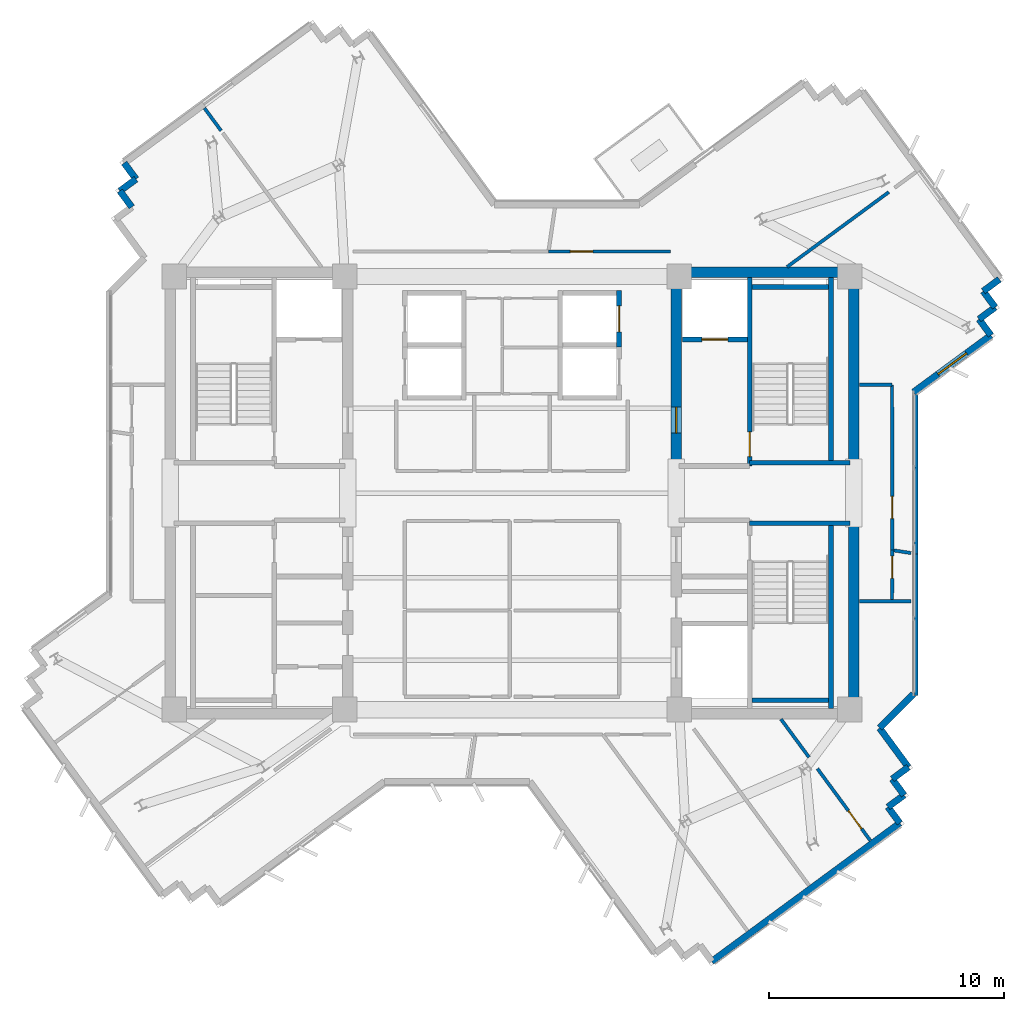
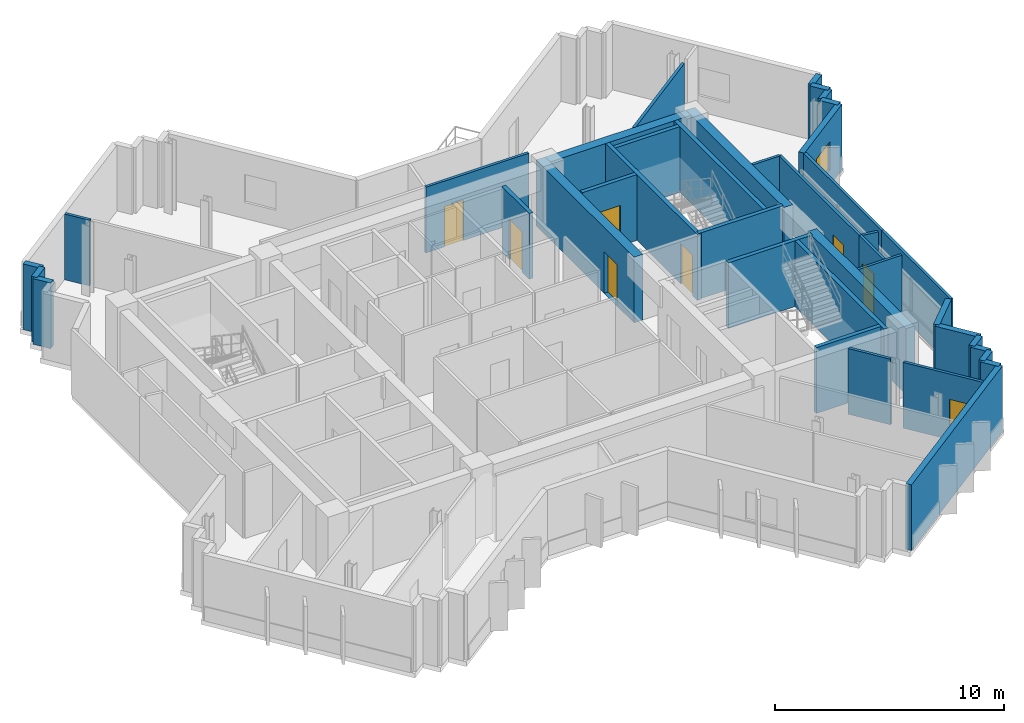
# One storey, part 9 of 13: 40 walls, 8 doors, 1 window, 9 openings.
"""IFC4 building model written with IfcOpenShell, lengths in metres."""

from ifc_helpers import new_model, si_unit, direction, frame, frame_2d, origin, place, context, subcontext, project, spatial, rectangle, extrude, source, transform, mapped, material, layer, layer_set, type_object, element, fill, save


model = new_model("IFC4")

# Units and contexts
model_context = context("Model", 3, precision=1e-05, world=origin(), true_north=direction((0.0, 1.0)))
body_context = subcontext(model_context, "Body", "Model", "MODEL_VIEW")
ifc_project = project(units=[si_unit("LENGTHUNIT", "METRE"), si_unit("AREAUNIT", "SQUARE_METRE"), si_unit("VOLUMEUNIT", "CUBIC_METRE"), si_unit("PLANEANGLEUNIT", "RADIAN"), si_unit("MASSUNIT", "GRAM", prefix="KILO")], contexts=[model_context])

# Site, building, storey
site_placement = place(None, origin())
site = spatial("IfcSite", under=ifc_project, at=site_placement, CompositionType="ELEMENT")
building_placement = place(site_placement, origin())
building = spatial("IfcBuilding", under=site, at=building_placement, Name="Zahravan Cultural Tower", CompositionType="ELEMENT")
storey_placement = place(building_placement, frame((0.0, 0.0, 276.60009765625)))
storey = spatial("IfcBuildingStorey", under=building, at=storey_placement, Name="L66", CompositionType="ELEMENT", Elevation=276.60009765625)

# Wall, opening, door
ifc_material_1 = material(Name="Concrete C50/60", Category="concrete")
ifc_layer_1 = layer(ifc_material_1, 0.449951171875)
ifc_layer_set_1 = layer_set([ifc_layer_1], Name="Concrete C50/60")
wall_type_1 = type_object("IfcWallType", Name="CW-SHEAR-450-C50", PredefinedType="SHEAR", material=ifc_layer_set_1)
wall_1_placement = place(storey_placement, frame((42.97509765625, 28.050048828125, 0.0), z_axis=(0.0, 0.0, 1.0), x_axis=(0.0, 1.0, 0.0)))
wall_1 = element("IfcWall", 1, at=wall_1_placement, inside=storey, type_object=wall_type_1, Name="L66 Core Shear Wall CW-E-WN-L66", PredefinedType="SHEAR", context=body_context, shape_type="SweptSolid", body=[
    extrude(rectangle(XDim=8.550048828125, YDim=0.449951171875, at=frame_2d((4.27490234375, 0.0))), origin(), (0.0, 0.0, 1.0), 3.5),
])
opening_1_placement = place(wall_1_placement, frame((1.5, 0.0, 0.0)))
opening_1 = element("IfcOpeningElement", 2, at=opening_1_placement, cuts=wall_1, Name="Opening D-L66-07", PredefinedType="OPENING", context=body_context, shape_type="SweptSolid", body=[
    extrude(rectangle(XDim=1.10009765625, YDim=2.199951171875, at=frame_2d((0.550048828125, 1.10009765625))), frame((0.0, 0.23486328125, 0.0), z_axis=(0.0, -1.0, 0.0), x_axis=(1.0, 0.0, 0.0)), (0.0, 0.0, 1.0), 0.469970703125),
])
ifc_material_2 = material(Name="Steel ASTM A572 Grade 50", Category="steel")
door_type_1 = type_object("IfcDoorType", Name="DR-LOBBY-1100", OperationType="NOTDEFINED", PredefinedType="DOOR", material=ifc_material_2)
shared_shape_1 = source(origin(), body_context, "Body", "SweptSolid", [
    extrude(rectangle(XDim=1.10009765625, YDim=2.199951171875, at=frame_2d((0.550048828125, 1.10009765625))), frame((0.0, 0.02490234375, 0.0), z_axis=(0.0, -1.0, 0.0), x_axis=(1.0, 0.0, 0.0)), (0.0, 0.0, 1.0), 0.050048828125),
])
door_1_placement = place(opening_1_placement, origin())
door_1 = element("IfcDoor", 3, at=door_1_placement, inside=storey, type_object=door_type_1, Name="L66 Door D-L66-07", OperationType="SINGLE_SWING_LEFT", OverallHeight=2.199951171875, OverallWidth=1.10009765625, PredefinedType="DOOR", context=body_context, shape_type="MappedRepresentation", body=[
    mapped(shared_shape_1, transform((0.0, 0.0, 0.0), x_axis=(1.0, 0.0, 0.0), y_axis=(0.0, 1.0, 0.0), z_axis=(0.0, 0.0, 1.0), scale=1.0)),
])
fill(opening_1, door_1)

# Wall, opening, window
ifc_material_3 = material(Name="Precast concrete C40/50", Category="concrete")
ifc_layer_2 = layer(ifc_material_3, 0.280029296875)
ifc_layer_set_2 = layer_set([ifc_layer_2], Name="Precast concrete C40/50")
wall_type_2 = type_object("IfcWallType", Name="EW-TC-280", PredefinedType="SOLIDWALL", material=ifc_layer_set_2)
wall_2_placement = place(storey_placement, frame((56.345703125, 33.70361328125, 0.0), z_axis=(0.0, 0.0, 1.0), x_axis=(-0.805410687764, -0.592717153486, 0.0)))
wall_2 = element("IfcWall", 4, at=wall_2_placement, inside=storey, type_object=wall_type_2, Name="L66 Exterior Masonry Frame Wall 11", PredefinedType="SOLIDWALL", context=body_context, shape_type="SweptSolid", body=[
    extrude(rectangle(XDim=4.079345703125, YDim=0.280029296875, at=frame_2d((2.03955078125, 0.0))), origin(), (0.0, 0.0, 1.0), 3.5),
])
opening_2_placement = place(wall_2_placement, frame((1.2900390625, 0.0, 0.85009765625)))
opening_2 = element("IfcOpeningElement", 5, at=opening_2_placement, cuts=wall_2, Name="Opening WN-03", PredefinedType="OPENING", context=body_context, shape_type="SweptSolid", body=[
    extrude(rectangle(XDim=1.5, YDim=1.5, at=frame_2d((0.75, 0.75))), frame((0.0, 0.14990234375, 0.0), z_axis=(0.0, -1.0, 0.0), x_axis=(1.0, 0.0, 0.0)), (0.0, 0.0, 1.0), 0.300048828125),
])
ifc_material_4 = material(Name="Low-E solar-control double glazing", Category="glass")
window_type = type_object("IfcWindowType", Name="WN-REC-1500X1500", PartitioningType="SINGLE_PANEL", PredefinedType="WINDOW", material=ifc_material_4)
shared_shape_2 = source(origin(), body_context, "Body", "SweptSolid", [
    extrude(rectangle(XDim=1.5, YDim=1.5, at=frame_2d((0.75, 0.75))), frame((0.0, 0.030029296875, 0.0), z_axis=(0.0, -1.0, 0.0), x_axis=(1.0, 0.0, 0.0)), (0.0, 0.0, 1.0), 0.06005859375),
])
window_placement = place(opening_2_placement, origin())
window = element("IfcWindow", 6, at=window_placement, inside=storey, type_object=window_type, Name="L66 Recessed Solar Window 02", OverallHeight=1.5, OverallWidth=1.5, PartitioningType="SINGLE_PANEL", PredefinedType="WINDOW", context=body_context, shape_type="MappedRepresentation", body=[
    mapped(shared_shape_2, transform((0.0, 0.0, 0.0), x_axis=(1.0, 0.0, 0.0), y_axis=(0.0, 1.0, 0.0), z_axis=(0.0, 0.0, 1.0), scale=1.0)),
])
fill(opening_2, window)

# Wall, opening, door
ifc_material_5 = material(Name="Gypsum plasterboard partition")
ifc_layer_3 = layer(ifc_material_5, 0.139892578125)
ifc_layer_set_3 = layer_set([ifc_layer_3], Name="Gypsum plasterboard partition")
wall_type_3 = type_object("IfcWallType", Name="W-PART-140", PredefinedType="PARTITIONING", material=ifc_layer_set_3)
wall_3_placement = place(storey_placement, frame((48.975341796875, 15.290283203125, 0.0), z_axis=(0.0, 0.0, 1.0), x_axis=(0.592735674873, -0.805397057192, 0.0)))
wall_3 = element("IfcWall", 7, at=wall_3_placement, inside=storey, type_object=wall_type_3, Name="L66 Interior Wall 074", PredefinedType="PARTITIONING", context=body_context, shape_type="SweptSolid", body=[
    extrude(rectangle(XDim=3.79296875, YDim=0.139892578125, at=frame_2d((1.896484375, 0.0))), origin(), (0.0, 0.0, 1.0), 3.5),
])
opening_3_placement = place(wall_3_placement, frame((2.2177734375, 0.0, 0.0)))
opening_3 = element("IfcOpeningElement", 8, at=opening_3_placement, cuts=wall_3, Name="Opening D-L66-35", PredefinedType="OPENING", context=body_context, shape_type="SweptSolid", body=[
    extrude(rectangle(XDim=0.949951171875, YDim=2.14990234375, at=frame_2d((0.47509765625, 1.074951171875))), frame((0.0, 0.079833984375, 0.0), z_axis=(0.0, -1.0, 0.0), x_axis=(1.0, 0.0, 0.0)), (0.0, 0.0, 1.0), 0.159912109375),
])
ifc_material_6 = material(Name="Anodised bronze-aluminium mullion", Category="aluminium")
door_type_2 = type_object("IfcDoorType", Name="DR-ROOM-950", OperationType="NOTDEFINED", PredefinedType="DOOR", material=ifc_material_6)
shared_shape_3 = source(origin(), body_context, "Body", "SweptSolid", [
    extrude(rectangle(XDim=0.949951171875, YDim=2.14990234375, at=frame_2d((0.47509765625, 1.074951171875))), frame((0.0, 0.02490234375, 0.0), z_axis=(0.0, -1.0, 0.0), x_axis=(1.0, 0.0, 0.0)), (0.0, 0.0, 1.0), 0.050048828125),
])
door_2_placement = place(opening_3_placement, origin())
door_2 = element("IfcDoor", 9, at=door_2_placement, inside=storey, type_object=door_type_2, Name="L66 Door D-L66-35", OperationType="SINGLE_SWING_LEFT", OverallHeight=2.14990234375, OverallWidth=0.949951171875, PredefinedType="DOOR", context=body_context, shape_type="MappedRepresentation", body=[
    mapped(shared_shape_3, transform((0.0, 0.0, 0.0), x_axis=(1.0, 0.0, 0.0), y_axis=(0.0, 1.0, 0.0), z_axis=(0.0, 0.0, 1.0), scale=1.0)),
])
fill(opening_3, door_2)

wall_4_placement = place(storey_placement, frame((52.14892578125, 22.478271484375, 0.0), z_axis=(0.0, 0.0, 1.0), x_axis=(0.000465766135, 0.999999891531, 0.0)))
wall_4 = element("IfcWall", 10, at=wall_4_placement, inside=storey, type_object=wall_type_3, Name="L66 Interior Wall 078", PredefinedType="PARTITIONING", context=body_context, shape_type="SweptSolid", body=[
    extrude(rectangle(XDim=2.0966796875, YDim=0.139892578125, at=frame_2d((1.04833984375, 0.0))), origin(), (0.0, 0.0, 1.0), 3.5),
])
opening_4_placement = place(wall_4_placement, frame((0.894287109375, 0.0, 0.0)))
opening_4 = element("IfcOpeningElement", 11, at=opening_4_placement, cuts=wall_4, Name="Opening D-L66-31", PredefinedType="OPENING", context=body_context, shape_type="SweptSolid", body=[
    extrude(rectangle(XDim=0.949951171875, YDim=2.14990234375, at=frame_2d((0.47509765625, 1.074951171875))), frame((0.0, 0.079833984375, 0.0), z_axis=(0.0, -1.0, 0.0), x_axis=(1.0, 0.0, 0.0)), (0.0, 0.0, 1.0), 0.159912109375),
])
door_3_placement = place(opening_4_placement, origin())
door_3 = element("IfcDoor", 12, at=door_3_placement, inside=storey, type_object=door_type_2, Name="L66 Door D-L66-31", OperationType="SINGLE_SWING_LEFT", OverallHeight=2.14990234375, OverallWidth=0.949951171875, PredefinedType="DOOR", context=body_context, shape_type="MappedRepresentation", body=[
    mapped(shared_shape_3, transform((0.0, 0.0, 0.0), x_axis=(1.0, 0.0, 0.0), y_axis=(0.0, 1.0, 0.0), z_axis=(0.0, 0.0, 1.0), scale=1.0)),
])
fill(opening_4, door_3)

wall_5_placement = place(storey_placement, frame((52.14990234375, 24.574951171875, 0.0), z_axis=(0.0, 0.0, 1.0), x_axis=(-0.000139028882, 0.999999990335, 0.0)))
wall_5 = element("IfcWall", 13, at=wall_5_placement, inside=storey, type_object=wall_type_3, Name="L66 Interior Wall 100", PredefinedType="PARTITIONING", context=body_context, shape_type="SweptSolid", body=[
    extrude(rectangle(XDim=7.024169921875, YDim=0.139892578125, at=frame_2d((3.51220703125, 0.0))), origin(), (0.0, 0.0, 1.0), 3.5),
])
opening_5_placement = place(wall_5_placement, frame((1.336181640625, 0.0, 0.0)))
opening_5 = element("IfcOpeningElement", 14, at=opening_5_placement, cuts=wall_5, Name="Opening D-L66-23", PredefinedType="OPENING", context=body_context, shape_type="SweptSolid", body=[
    extrude(rectangle(XDim=0.949951171875, YDim=2.14990234375, at=frame_2d((0.47509765625, 1.074951171875))), frame((0.0, 0.079833984375, 0.0), z_axis=(0.0, -1.0, 0.0), x_axis=(1.0, 0.0, 0.0)), (0.0, 0.0, 1.0), 0.159912109375),
])
door_4_placement = place(opening_5_placement, origin())
door_4 = element("IfcDoor", 15, at=door_4_placement, inside=storey, type_object=door_type_2, Name="L66 Door D-L66-23", OperationType="SINGLE_SWING_LEFT", OverallHeight=2.14990234375, OverallWidth=0.949951171875, PredefinedType="DOOR", context=body_context, shape_type="MappedRepresentation", body=[
    mapped(shared_shape_3, transform((0.0, 0.0, 0.0), x_axis=(1.0, 0.0, 0.0), y_axis=(0.0, 1.0, 0.0), z_axis=(0.0, 0.0, 1.0), scale=1.0)),
])
fill(opening_5, door_4)

wall_6_placement = place(storey_placement, frame((42.742431640625, 37.259765625, 0.0), z_axis=(0.0, 0.0, 1.0), x_axis=(-0.999999998895, 4.7021207e-05, 0.0)))
wall_6 = element("IfcWall", 16, at=wall_6_placement, inside=storey, type_object=wall_type_3, Name="L66 Interior Wall 101", PredefinedType="PARTITIONING", context=body_context, shape_type="SweptSolid", body=[
    extrude(rectangle(XDim=5.192138671875, YDim=0.139892578125, at=frame_2d((2.59619140625, 0.0))), origin(), (0.0, 0.0, 1.0), 3.5),
])
opening_6_placement = place(wall_6_placement, frame((3.308837890625, 0.0, 0.0)))
opening_6 = element("IfcOpeningElement", 17, at=opening_6_placement, cuts=wall_6, Name="Opening D-L66-24", PredefinedType="OPENING", context=body_context, shape_type="SweptSolid", body=[
    extrude(rectangle(XDim=0.949951171875, YDim=2.14990234375, at=frame_2d((0.47509765625, 1.074951171875))), frame((0.0, 0.079833984375, 0.0), z_axis=(0.0, -1.0, 0.0), x_axis=(1.0, 0.0, 0.0)), (0.0, 0.0, 1.0), 0.159912109375),
])
door_5_placement = place(opening_6_placement, origin())
door_5 = element("IfcDoor", 18, at=door_5_placement, inside=storey, type_object=door_type_2, Name="L66 Door D-L66-24", OperationType="SINGLE_SWING_RIGHT", OverallHeight=2.14990234375, OverallWidth=0.949951171875, PredefinedType="DOOR", context=body_context, shape_type="MappedRepresentation", body=[
    mapped(shared_shape_3, transform((0.0, 0.0, 0.0), x_axis=(1.0, 0.0, 0.0), y_axis=(0.0, 1.0, 0.0), z_axis=(0.0, 0.0, 1.0), scale=1.0)),
])
fill(opening_6, door_5)

ifc_material_7 = material(Name="Concrete C45/55", Category="concrete")
ifc_layer_4 = layer(ifc_material_7, 0.199951171875)
ifc_layer_set_4 = layer_set([ifc_layer_4], Name="Concrete C45/55")
wall_type_4 = type_object("IfcWallType", Name="W-SHAFT-200", PredefinedType="SOLIDWALL", material=ifc_layer_set_4)
wall_7_placement = place(storey_placement, frame((46.10009765625, 28.14990234375, 0.0), z_axis=(0.0, 0.0, 1.0), x_axis=(0.0, 1.0, 0.0)))
wall_7 = element("IfcWall", 19, at=wall_7_placement, inside=storey, type_object=wall_type_4, Name="L66 Interior Wall 008", PredefinedType="SOLIDWALL", context=body_context, shape_type="SweptSolid", body=[
    extrude(rectangle(XDim=8.0, YDim=0.199951171875, at=frame_2d((4.0, 0.0))), origin(), (0.0, 0.0, 1.0), 3.5),
])
opening_7_placement = place(wall_7_placement, frame((0.39990234375, 0.0, 0.0)))
opening_7 = element("IfcOpeningElement", 20, at=opening_7_placement, cuts=wall_7, Name="Opening D-L66-02", PredefinedType="OPENING", context=body_context, shape_type="SweptSolid", body=[
    extrude(rectangle(XDim=1.050048828125, YDim=2.14990234375, at=frame_2d((0.52490234375, 1.074951171875))), frame((0.0, 0.10986328125, 0.0), z_axis=(0.0, -1.0, 0.0), x_axis=(1.0, 0.0, 0.0)), (0.0, 0.0, 1.0), 0.219970703125),
])
door_type_3 = type_object("IfcDoorType", Name="DR-STAIR-1050", OperationType="NOTDEFINED", PredefinedType="DOOR", material=ifc_material_2)
shared_shape_4 = source(origin(), body_context, "Body", "SweptSolid", [
    extrude(rectangle(XDim=1.050048828125, YDim=2.14990234375, at=frame_2d((0.52490234375, 1.074951171875))), frame((0.0, 0.02490234375, 0.0), z_axis=(0.0, -1.0, 0.0), x_axis=(1.0, 0.0, 0.0)), (0.0, 0.0, 1.0), 0.050048828125),
])
door_6_placement = place(opening_7_placement, origin())
door_6 = element("IfcDoor", 21, at=door_6_placement, inside=storey, type_object=door_type_3, Name="L66 Door D-L66-02", OperationType="SINGLE_SWING_RIGHT", OverallHeight=2.14990234375, OverallWidth=1.050048828125, PredefinedType="DOOR", context=body_context, shape_type="MappedRepresentation", body=[
    mapped(shared_shape_4, transform((0.0, 0.0, 0.0), x_axis=(1.0, 0.0, 0.0), y_axis=(0.0, 1.0, 0.0), z_axis=(0.0, 0.0, 1.0), scale=1.0)),
])
fill(opening_7, door_6)

wall_8_placement = place(storey_placement, frame((43.25, 33.52001953125, 0.0), z_axis=(0.0, 0.0, 1.0), x_axis=(1.0, 0.0, 0.0)))
wall_8 = element("IfcWall", 22, at=wall_8_placement, inside=storey, type_object=wall_type_4, Name="L66 Interior Wall 023", PredefinedType="SOLIDWALL", context=body_context, shape_type="SweptSolid", body=[
    extrude(rectangle(XDim=2.75, YDim=0.199951171875, at=frame_2d((1.375, 0.0))), origin(), (0.0, 0.0, 1.0), 3.5),
])
opening_8_placement = place(wall_8_placement, frame((0.820068359375, 0.0, 0.0)))
opening_8 = element("IfcOpeningElement", 23, at=opening_8_placement, cuts=wall_8, Name="Opening LD-L66-02", PredefinedType="OPENING", context=body_context, shape_type="SweptSolid", body=[
    extrude(rectangle(XDim=1.10009765625, YDim=2.14990234375, at=frame_2d((0.550048828125, 1.074951171875))), frame((0.0, 0.10986328125, 0.0), z_axis=(0.0, -1.0, 0.0), x_axis=(1.0, 0.0, 0.0)), (0.0, 0.0, 1.0), 0.219970703125),
])
door_type_4 = type_object("IfcDoorType", Name="DR-LIFT-1100", OperationType="DOUBLE_DOOR_SLIDING", PredefinedType="DOOR", material=ifc_material_2)
shared_shape_5 = source(origin(), body_context, "Body", "SweptSolid", [
    extrude(rectangle(XDim=1.10009765625, YDim=2.14990234375, at=frame_2d((0.550048828125, 1.074951171875))), frame((0.0, 0.02490234375, 0.0), z_axis=(0.0, -1.0, 0.0), x_axis=(1.0, 0.0, 0.0)), (0.0, 0.0, 1.0), 0.050048828125),
])
door_7_placement = place(opening_8_placement, origin())
door_7 = element("IfcDoor", 24, at=door_7_placement, inside=storey, type_object=door_type_4, Name="L66 Door LD-L66-02", OperationType="DOUBLE_DOOR_SLIDING", OverallHeight=2.14990234375, OverallWidth=1.10009765625, PredefinedType="DOOR", context=body_context, shape_type="MappedRepresentation", body=[
    mapped(shared_shape_5, transform((0.0, 0.0, 0.0), x_axis=(1.0, 0.0, 0.0), y_axis=(0.0, 1.0, 0.0), z_axis=(0.0, 0.0, 1.0), scale=1.0)),
])
fill(opening_8, door_7)

wall_9_placement = place(storey_placement, frame((40.550048828125, 33.199951171875, 0.0), z_axis=(0.0, 0.0, 1.0), x_axis=(0.0, 1.0, 0.0)))
wall_9 = element("IfcWall", 25, at=wall_9_placement, inside=storey, type_object=wall_type_4, Name="L66 Interior Wall 038", PredefinedType="SOLIDWALL", context=body_context, shape_type="SweptSolid", body=[
    extrude(rectangle(XDim=2.400146484375, YDim=0.199951171875, at=frame_2d((1.2001953125, 0.0))), origin(), (0.0, 0.0, 1.0), 3.5),
])
opening_9_placement = place(wall_9_placement, frame((0.64990234375, 0.0, 0.0)))
opening_9 = element("IfcOpeningElement", 26, at=opening_9_placement, cuts=wall_9, Name="Opening LD-L66-06", PredefinedType="OPENING", context=body_context, shape_type="SweptSolid", body=[
    extrude(rectangle(XDim=1.10009765625, YDim=2.14990234375, at=frame_2d((0.550048828125, 1.074951171875))), frame((0.0, 0.10986328125, 0.0), z_axis=(0.0, -1.0, 0.0), x_axis=(1.0, 0.0, 0.0)), (0.0, 0.0, 1.0), 0.219970703125),
])
door_8_placement = place(opening_9_placement, origin())
door_8 = element("IfcDoor", 27, at=door_8_placement, inside=storey, type_object=door_type_4, Name="L66 Door LD-L66-06", OperationType="DOUBLE_DOOR_SLIDING", OverallHeight=2.14990234375, OverallWidth=1.10009765625, PredefinedType="DOOR", context=body_context, shape_type="MappedRepresentation", body=[
    mapped(shared_shape_5, transform((0.0, 0.0, 0.0), x_axis=(1.0, 0.0, 0.0), y_axis=(0.0, 1.0, 0.0), z_axis=(0.0, 0.0, 1.0), scale=1.0)),
])
fill(opening_9, door_8)

# Walls
shared_shape_6 = source(origin(), body_context, "Body", "SweptSolid", [
    extrude(rectangle(XDim=8.550048828125, YDim=0.449951171875, at=frame_2d((4.27490234375, 0.0))), origin(), (0.0, 0.0, 1.0), 3.5),
])
for number, where, z_axis, x_axis, name in (
    (28, (50.52490234375, 17.39990234375, 0.0), (0.0, 0.0, 1.0), (0.0, 1.0, 0.0), "L66 Core Shear Wall CW-E-ES-L66"),
    (29, (50.52490234375, 28.050048828125, 0.0), (0.0, 0.0, 1.0), (0.0, 1.0, 0.0), "L66 Core Shear Wall CW-E-EN-L66"),
):
    element("IfcWall", number, at=place(storey_placement, frame(where, z_axis=z_axis, x_axis=x_axis)), inside=storey, type_object=wall_type_1, Name=name, PredefinedType="SHEAR", context=body_context, shape_type="MappedRepresentation", body=[
        mapped(shared_shape_6, transform((0.0, 0.0, 0.0), x_axis=(1.0, 0.0, 0.0), y_axis=(0.0, 1.0, 0.0), z_axis=(0.0, 0.0, 1.0), scale=1.0)),
    ])
shared_shape_7 = source(origin(), body_context, "Body", "SweptSolid", [
    extrude(rectangle(XDim=7.10009765625, YDim=0.449951171875, at=frame_2d((3.550048828125, 0.0))), origin(), (0.0, 0.0, 1.0), 3.5),
])
wall_10_placement = place(storey_placement, frame((43.199951171875, 36.375, 0.0), z_axis=(0.0, 0.0, 1.0), x_axis=(1.0, 0.0, 0.0)))
element("IfcWall", 30, at=wall_10_placement, inside=storey, type_object=wall_type_1, Name="L66 Core Shear Wall CW-E-N-L66", PredefinedType="SHEAR", context=body_context, shape_type="MappedRepresentation", body=[
    mapped(shared_shape_7, transform((0.0, 0.0, 0.0), x_axis=(1.0, 0.0, 0.0), y_axis=(0.0, 1.0, 0.0), z_axis=(0.0, 0.0, 1.0), scale=1.0)),
])
shared_shape_8 = source(origin(), body_context, "Body", "SweptSolid", [
    extrude(rectangle(XDim=0.85009765625, YDim=0.280029296875, at=frame_2d((0.425048828125, 0.0))), origin(), (0.0, 0.0, 1.0), 3.5),
])
for number, where, z_axis, x_axis, name in (
    (31, (56.707275390625, 36.08056640625, 0.0), (0.0, 0.0, 1.0), (-0.80534450163, -0.592807079659, 0.0), "L66 Exterior Masonry Frame Wall 07"),
    (32, (56.022705078125, 35.57666015625, 0.0), (0.0, 0.0, 1.0), (0.592807079659, -0.80534450163, 0.0), "L66 Exterior Masonry Frame Wall 08"),
    (33, (55.841796875, 34.38818359375, 0.0), (0.0, 0.0, 1.0), (0.592807079659, -0.80534450163, 0.0), "L66 Exterior Masonry Frame Wall 10"),
    (34, (52.839111328125, 15.354736328125, 0.0), (0.0, 0.0, 1.0), (-0.80534450163, -0.592807079659, 0.0), "L66 Exterior Masonry Frame Wall 14"),
):
    element("IfcWall", number, at=place(storey_placement, frame(where, z_axis=z_axis, x_axis=x_axis)), inside=storey, type_object=wall_type_2, Name=name, PredefinedType="SOLIDWALL", context=body_context, shape_type="MappedRepresentation", body=[
        mapped(shared_shape_8, transform((0.0, 0.0, 0.0), x_axis=(1.0, 0.0, 0.0), y_axis=(0.0, 1.0, 0.0), z_axis=(0.0, 0.0, 1.0), scale=1.0)),
    ])
shared_shape_9 = source(origin(), body_context, "Body", "SweptSolid", [
    extrude(rectangle(XDim=0.849853515625, YDim=0.280029296875, at=frame_2d((0.4248046875, 0.0))), origin(), (0.0, 0.0, 1.0), 3.5),
])
for number, where, z_axis, x_axis, name in (
    (35, (52.154541015625, 14.850830078125, 0.0), (0.0, 0.0, 1.0), (0.592620751712, -0.805481622783, 0.0), "L66 Exterior Masonry Frame Wall 15"),
    (36, (52.658203125, 14.166259765625, 0.0), (0.0, 0.0, 1.0), (-0.805481622783, -0.592620751712, 0.0), "L66 Exterior Masonry Frame Wall 16"),
    (37, (19.845458984375, 39.149169921875, 0.0), (0.0, 0.0, 1.0), (-0.592620751712, 0.805481622783, 0.0), "L66 Exterior Masonry Frame Wall 39"),
    (38, (19.341796875, 39.833740234375, 0.0), (0.0, 0.0, 1.0), (0.805481622783, 0.592620751712, 0.0), "L66 Exterior Masonry Frame Wall 40"),
):
    element("IfcWall", number, at=place(storey_placement, frame(where, z_axis=z_axis, x_axis=x_axis)), inside=storey, type_object=wall_type_2, Name=name, PredefinedType="SOLIDWALL", context=body_context, shape_type="MappedRepresentation", body=[
        mapped(shared_shape_9, transform((0.0, 0.0, 0.0), x_axis=(1.0, 0.0, 0.0), y_axis=(0.0, 1.0, 0.0), z_axis=(0.0, 0.0, 1.0), scale=1.0)),
    ])
shared_shape_10 = source(origin(), body_context, "Body", "SweptSolid", [
    extrude(rectangle(XDim=9.919921875, YDim=0.280029296875, at=frame_2d((4.9599609375, 0.0))), origin(), (0.0, 0.0, 1.0), 3.5),
])
wall_11_placement = place(storey_placement, frame((52.4775390625, 12.977783203125, 0.0), z_axis=(0.0, 0.0, 1.0), x_axis=(-0.805418797839, -0.592706132994, 0.0)))
element("IfcWall", 39, at=wall_11_placement, inside=storey, type_object=wall_type_2, Name="L66 Exterior Masonry Frame Wall 18", PredefinedType="SOLIDWALL", context=body_context, shape_type="MappedRepresentation", body=[
    mapped(shared_shape_10, transform((0.0, 0.0, 0.0), x_axis=(1.0, 0.0, 0.0), y_axis=(0.0, 1.0, 0.0), z_axis=(0.0, 0.0, 1.0), scale=1.0)),
])
shared_shape_11 = source(origin(), body_context, "Body", "SweptSolid", [
    extrude(rectangle(XDim=0.850341796875, YDim=0.280029296875, at=frame_2d((0.42529296875, 0.0))), origin(), (0.0, 0.0, 1.0), 3.5),
])
for number, where, z_axis, x_axis, name in (
    (40, (56.526611328125, 34.89208984375, 0.0), (0.0, 0.0, 1.0), (-0.805445398986, -0.592669983425, 0.0), "L66 Exterior Masonry Frame Wall 09"),
    (41, (51.9736328125, 13.66259765625, 0.0), (0.0, 0.0, 1.0), (0.592669983425, -0.805445398986, 0.0), "L66 Exterior Masonry Frame Wall 17"),
    (42, (20.0263671875, 40.33740234375, 0.0), (0.0, 0.0, 1.0), (-0.592669983425, 0.805445398986, 0.0), "L66 Exterior Masonry Frame Wall 41"),
):
    element("IfcWall", number, at=place(storey_placement, frame(where, z_axis=z_axis, x_axis=x_axis)), inside=storey, type_object=wall_type_2, Name=name, PredefinedType="SOLIDWALL", context=body_context, shape_type="MappedRepresentation", body=[
        mapped(shared_shape_11, transform((0.0, 0.0, 0.0), x_axis=(1.0, 0.0, 0.0), y_axis=(0.0, 1.0, 0.0), z_axis=(0.0, 0.0, 1.0), scale=1.0)),
    ])
shared_shape_12 = source(origin(), body_context, "Body", "SweptSolid", [
    extrude(rectangle(XDim=2.04052734375, YDim=0.280029296875, at=frame_2d((1.020263671875, 0.0))), origin(), (0.0, 0.0, 1.0), 3.5),
])
wall_12_placement = place(storey_placement, frame((53.06005859375, 18.4580078125, 0.0), z_axis=(0.0, 0.0, 1.0), x_axis=(-0.707106781187, -0.707106781187, 0.0)))
element("IfcWall", 43, at=wall_12_placement, inside=storey, type_object=wall_type_2, Name="L66 Exterior Masonry Frame Wall 12", PredefinedType="SOLIDWALL", context=body_context, shape_type="MappedRepresentation", body=[
    mapped(shared_shape_12, transform((0.0, 0.0, 0.0), x_axis=(1.0, 0.0, 0.0), y_axis=(0.0, 1.0, 0.0), z_axis=(0.0, 0.0, 1.0), scale=1.0)),
])
shared_shape_13 = source(origin(), body_context, "Body", "SweptSolid", [
    extrude(rectangle(XDim=2.0615234375, YDim=0.280029296875, at=frame_2d((1.03076171875, 0.0))), origin(), (0.0, 0.0, 1.0), 3.5),
])
wall_13_placement = place(storey_placement, frame((51.6171875, 17.01513671875, 0.0), z_axis=(0.0, 0.0, 1.0), x_axis=(0.592718215209, -0.80540990642, 0.0)))
element("IfcWall", 44, at=wall_13_placement, inside=storey, type_object=wall_type_2, Name="L66 Exterior Masonry Frame Wall 13", PredefinedType="SOLIDWALL", context=body_context, shape_type="MappedRepresentation", body=[
    mapped(shared_shape_13, transform((0.0, 0.0, 0.0), x_axis=(1.0, 0.0, 0.0), y_axis=(0.0, 1.0, 0.0), z_axis=(0.0, 0.0, 1.0), scale=1.0)),
])
shared_shape_14 = source(origin(), body_context, "Body", "SweptSolid", [
    extrude(rectangle(XDim=7.869873046875, YDim=0.199951171875, at=frame_2d((3.93505859375, 0.0))), origin(), (0.0, 0.0, 1.0), 3.5),
])
for number, where, z_axis, x_axis, name in (
    (45, (49.550048828125, 17.85009765625, 0.0), (0.0, 0.0, 1.0), (0.0, 1.0, 0.0), "L66 Interior Wall 003"),
    (46, (49.550048828125, 28.280029296875, 0.0), (0.0, 0.0, 1.0), (0.0, 1.0, 0.0), "L66 Interior Wall 004"),
):
    element("IfcWall", number, at=place(storey_placement, frame(where, z_axis=z_axis, x_axis=x_axis)), inside=storey, type_object=wall_type_4, Name=name, PredefinedType="SOLIDWALL", context=body_context, shape_type="MappedRepresentation", body=[
        mapped(shared_shape_14, transform((0.0, 0.0, 0.0), x_axis=(1.0, 0.0, 0.0), y_axis=(0.0, 1.0, 0.0), z_axis=(0.0, 0.0, 1.0), scale=1.0)),
    ])
shared_shape_15 = source(origin(), body_context, "Body", "SweptSolid", [
    extrude(rectangle(XDim=4.25, YDim=0.199951171875, at=frame_2d((2.125, 0.0))), origin(), (0.0, 0.0, 1.0), 3.5),
])
for number, where, z_axis, x_axis, name in (
    (47, (46.10009765625, 25.715087890625, 0.0), (0.0, 0.0, 1.0), (1.0, 0.0, 0.0), "L66 Interior Wall 014"),
    (48, (46.10009765625, 28.284912109375, 0.0), (0.0, 0.0, 1.0), (1.0, 0.0, 0.0), "L66 Interior Wall 016"),
):
    element("IfcWall", number, at=place(storey_placement, frame(where, z_axis=z_axis, x_axis=x_axis)), inside=storey, type_object=wall_type_4, Name=name, PredefinedType="SOLIDWALL", context=body_context, shape_type="MappedRepresentation", body=[
        mapped(shared_shape_15, transform((0.0, 0.0, 0.0), x_axis=(1.0, 0.0, 0.0), y_axis=(0.0, 1.0, 0.0), z_axis=(0.0, 0.0, 1.0), scale=1.0)),
    ])
shared_shape_16 = source(origin(), body_context, "Body", "SweptSolid", [
    extrude(rectangle(XDim=3.25, YDim=0.199951171875, at=frame_2d((1.625, 0.0))), origin(), (0.0, 0.0, 1.0), 3.5),
])
for number, where, z_axis, x_axis, name in (
    (49, (46.199951171875, 35.75, 0.0), (0.0, 0.0, 1.0), (1.0, 0.0, 0.0), "L66 Interior Wall 018"),
    (50, (46.199951171875, 18.199951171875, 0.0), (0.0, 0.0, 1.0), (1.0, 0.0, 0.0), "L66 Interior Wall 020"),
):
    element("IfcWall", number, at=place(storey_placement, frame(where, z_axis=z_axis, x_axis=x_axis)), inside=storey, type_object=wall_type_4, Name=name, PredefinedType="SOLIDWALL", context=body_context, shape_type="MappedRepresentation", body=[
        mapped(shared_shape_16, transform((0.0, 0.0, 0.0), x_axis=(1.0, 0.0, 0.0), y_axis=(0.0, 1.0, 0.0), z_axis=(0.0, 0.0, 1.0), scale=1.0)),
    ])
shared_shape_17 = source(origin(), body_context, "Body", "SweptSolid", [
    extrude(rectangle(XDim=2.012939453125, YDim=0.139892578125, at=frame_2d((1.00634765625, 0.0))), origin(), (0.0, 0.0, 1.0), 3.5),
])
wall_14_placement = place(storey_placement, frame((47.426513671875, 17.39501953125, 0.0), z_axis=(0.0, 0.0, 1.0), x_axis=(0.592698341467, -0.80542453155, 0.0)))
element("IfcWall", 51, at=wall_14_placement, inside=storey, type_object=wall_type_3, Name="L66 Interior Wall 073", PredefinedType="PARTITIONING", context=body_context, shape_type="MappedRepresentation", body=[
    mapped(shared_shape_17, transform((0.0, 0.0, 0.0), x_axis=(1.0, 0.0, 0.0), y_axis=(0.0, 1.0, 0.0), z_axis=(0.0, 0.0, 1.0), scale=1.0)),
])
shared_shape_18 = source(origin(), body_context, "Body", "SweptSolid", [
    extrude(rectangle(XDim=2.205078125, YDim=0.139892578125, at=frame_2d((1.1025390625, 0.0))), origin(), (0.0, 0.0, 1.0), 3.5),
])
wall_15_placement = place(storey_placement, frame((50.7548828125, 22.400146484375, 0.0), z_axis=(0.0, 0.0, 1.0), x_axis=(0.999997297044, 0.002325060146, 0.0)))
element("IfcWall", 52, at=wall_15_placement, inside=storey, type_object=wall_type_3, Name="L66 Interior Wall 077", PredefinedType="PARTITIONING", context=body_context, shape_type="MappedRepresentation", body=[
    mapped(shared_shape_18, transform((0.0, 0.0, 0.0), x_axis=(1.0, 0.0, 0.0), y_axis=(0.0, 1.0, 0.0), z_axis=(0.0, 0.0, 1.0), scale=1.0)),
])
shared_shape_19 = source(origin(), body_context, "Body", "SweptSolid", [
    extrude(rectangle(XDim=0.73876953125, YDim=0.139892578125, at=frame_2d((0.369384765625, 0.0))), origin(), (0.0, 0.0, 1.0), 3.5),
])
wall_16_placement = place(storey_placement, frame((52.22509765625, 24.563232421875, 0.0), z_axis=(0.0, 0.0, 1.0), x_axis=(0.988021482099, -0.154316398709, 0.0)))
element("IfcWall", 53, at=wall_16_placement, inside=storey, type_object=wall_type_3, Name="L66 Interior Wall 079", PredefinedType="PARTITIONING", context=body_context, shape_type="MappedRepresentation", body=[
    mapped(shared_shape_19, transform((0.0, 0.0, 0.0), x_axis=(1.0, 0.0, 0.0), y_axis=(0.0, 1.0, 0.0), z_axis=(0.0, 0.0, 1.0), scale=1.0)),
])
shared_shape_20 = source(origin(), body_context, "Body", "SweptSolid", [
    extrude(rectangle(XDim=6.006103515625, YDim=0.139892578125, at=frame_2d((3.0029296875, 0.0))), origin(), (0.0, 0.0, 1.0), 3.5),
])
wall_17_placement = place(storey_placement, frame((53.179931640625, 24.414306640625, 0.0), z_axis=(0.0, 0.0, 1.0), x_axis=(0.0, -1.0, 0.0)))
element("IfcWall", 54, at=wall_17_placement, inside=storey, type_object=wall_type_3, Name="L66 Interior Wall 080", PredefinedType="PARTITIONING", context=body_context, shape_type="MappedRepresentation", body=[
    mapped(shared_shape_20, transform((0.0, 0.0, 0.0), x_axis=(1.0, 0.0, 0.0), y_axis=(0.0, 1.0, 0.0), z_axis=(0.0, 0.0, 1.0), scale=1.0)),
])
shared_shape_21 = source(origin(), body_context, "Body", "SweptSolid", [
    extrude(rectangle(XDim=1.190673828125, YDim=0.139892578125, at=frame_2d((0.59521484375, 0.0))), origin(), (0.0, 0.0, 1.0), 3.5),
])
wall_18_placement = place(storey_placement, frame((22.934814453125, 43.353271484375, 0.0), z_axis=(0.0, 0.0, 1.0), x_axis=(0.592625306686, -0.80547827151, 0.0)))
element("IfcWall", 55, at=wall_18_placement, inside=storey, type_object=wall_type_3, Name="L66 Interior Wall 093", PredefinedType="PARTITIONING", context=body_context, shape_type="MappedRepresentation", body=[
    mapped(shared_shape_21, transform((0.0, 0.0, 0.0), x_axis=(1.0, 0.0, 0.0), y_axis=(0.0, 1.0, 0.0), z_axis=(0.0, 0.0, 1.0), scale=1.0)),
])
shared_shape_22 = source(origin(), body_context, "Body", "SweptSolid", [
    extrude(rectangle(XDim=1.39404296875, YDim=0.139892578125, at=frame_2d((0.697021484375, 0.0))), origin(), (0.0, 0.0, 1.0), 3.5),
])
wall_19_placement = place(storey_placement, frame((52.14892578125, 31.59912109375, 0.0), z_axis=(0.0, 0.0, 1.0), x_axis=(-0.999999754632, 0.000700525222, 0.0)))
element("IfcWall", 56, at=wall_19_placement, inside=storey, type_object=wall_type_3, Name="L66 Interior Wall 096", PredefinedType="PARTITIONING", context=body_context, shape_type="MappedRepresentation", body=[
    mapped(shared_shape_22, transform((0.0, 0.0, 0.0), x_axis=(1.0, 0.0, 0.0), y_axis=(0.0, 1.0, 0.0), z_axis=(0.0, 0.0, 1.0), scale=1.0)),
])
shared_shape_23 = source(origin(), body_context, "Body", "SweptSolid", [
    extrude(rectangle(XDim=5.36962890625, YDim=0.139892578125, at=frame_2d((2.684814453125, 0.0))), origin(), (0.0, 0.0, 1.0), 3.5),
])
wall_20_placement = place(storey_placement, frame((47.685302734375, 36.60498046875, 0.0), z_axis=(0.0, 0.0, 1.0), x_axis=(0.805412248971, 0.592715032041, 0.0)))
element("IfcWall", 57, at=wall_20_placement, inside=storey, type_object=wall_type_3, Name="L66 Interior Wall 097", PredefinedType="PARTITIONING", context=body_context, shape_type="MappedRepresentation", body=[
    mapped(shared_shape_23, transform((0.0, 0.0, 0.0), x_axis=(1.0, 0.0, 0.0), y_axis=(0.0, 1.0, 0.0), z_axis=(0.0, 0.0, 1.0), scale=1.0)),
])
shared_shape_24 = source(origin(), body_context, "Body", "SweptSolid", [
    extrude(rectangle(XDim=6.781982421875, YDim=0.139892578125, at=frame_2d((3.39111328125, 0.0))), origin(), (0.0, 0.0, 1.0), 3.5),
])
wall_21_placement = place(storey_placement, frame((53.18310546875, 31.1962890625, 0.0), z_axis=(0.0, 0.0, 1.0), x_axis=(-0.000467979358, -0.999999890498, 0.0)))
element("IfcWall", 58, at=wall_21_placement, inside=storey, type_object=wall_type_3, Name="L66 Interior Wall 099", PredefinedType="PARTITIONING", context=body_context, shape_type="MappedRepresentation", body=[
    mapped(shared_shape_24, transform((0.0, 0.0, 0.0), x_axis=(1.0, 0.0, 0.0), y_axis=(0.0, 1.0, 0.0), z_axis=(0.0, 0.0, 1.0), scale=1.0)),
])

save(model, "model.ifc")
